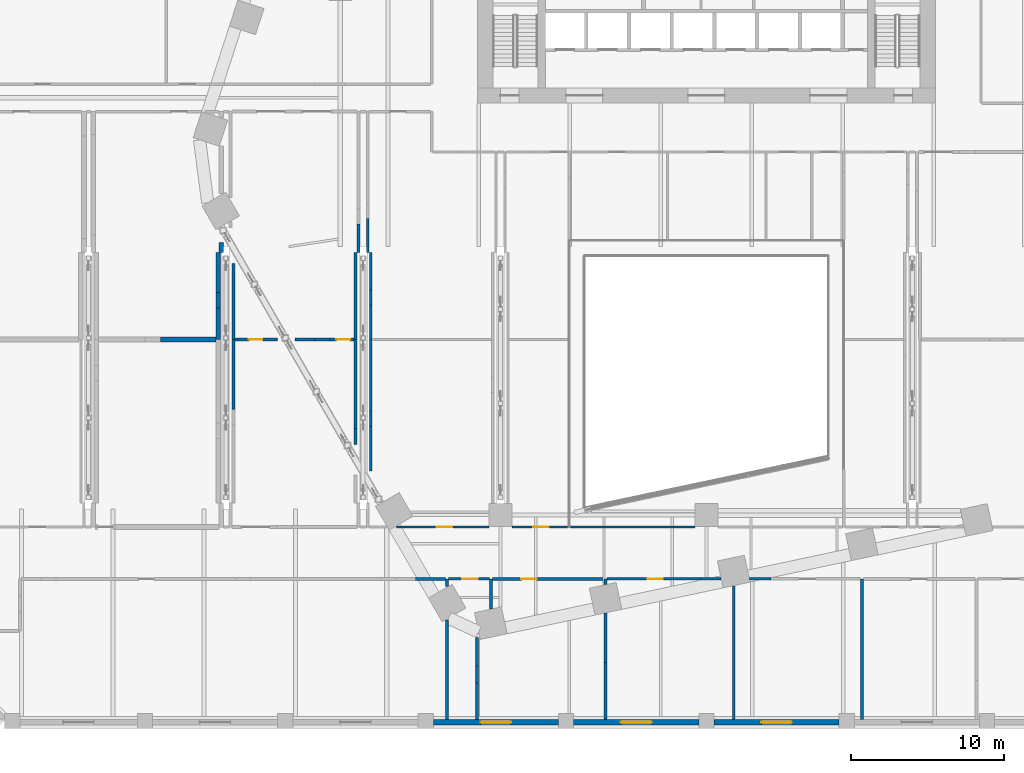
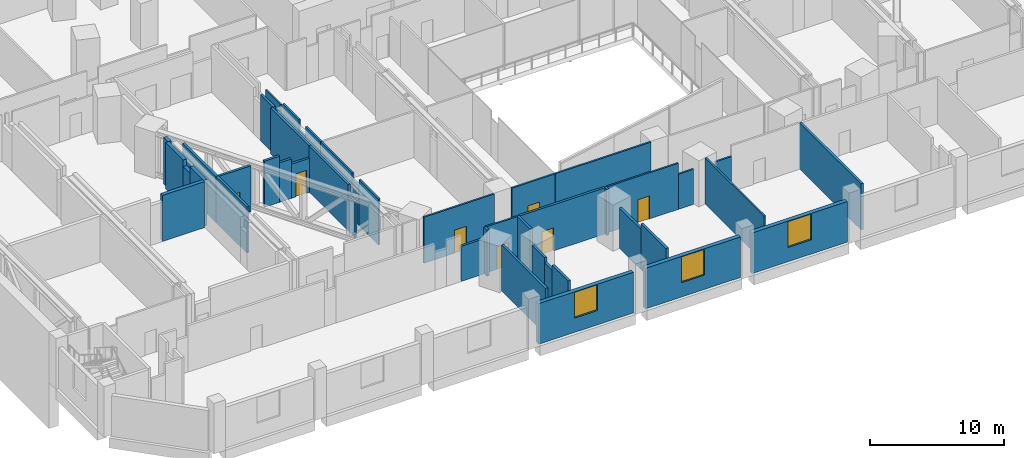
# One storey, part 14 of 32: 45 walls, 7 doors, 3 windows, 10 openings.
"""IFC4 building model written with IfcOpenShell, lengths in metres."""

import ifcopenshell
import ifcopenshell.guid

model = None  # the IFC model being written
_history = None  # IfcOwnerHistory: only IFC2X3 demands one
_inside = {}  # id of a spatial element -> (the spatial element, [elements in it])
_under = {}  # id of a project, library or spatial element -> (it, [spatial elements below it])
_declared = {}  # id of a project -> (the project, [libraries it declares])
_typed = {}  # id of a type object -> (the type object, [elements of that type])
_made_of = {}  # id of a material, layer set ... -> (it, [elements and type objects made of it])


def new_model(schema):
    """Start an empty IFC model of exactly this schema.

    Asked for "IFC4X3", IfcOpenShell would pick the latest addendum, in which some entities
    have other attributes; the version numbers below select the first issue.
    IFC2X3 requires an IfcOwnerHistory on every rooted entity: one is made here for all.
    """
    global model, _history
    if schema == "IFC4X3":
        model = ifcopenshell.file(schema_version=(4, 3, 0, 0))
    else:
        model = ifcopenshell.file(schema=schema)
    _inside.clear()
    _under.clear()
    _declared.clear()
    _typed.clear()
    _made_of.clear()
    _history = None
    if model.schema == "IFC2X3":
        org = make("IfcOrganization", Name="unknown")
        user = make(
            "IfcPersonAndOrganization",
            ThePerson=make("IfcPerson", FamilyName="unknown"),
            TheOrganization=org,
        )
        app = make(
            "IfcApplication",
            ApplicationDeveloper=org,
            Version="unknown",
            ApplicationFullName="unknown",
            ApplicationIdentifier="unknown",
        )
        _history = make(
            "IfcOwnerHistory",
            OwningUser=user,
            OwningApplication=app,
            ChangeAction="ADDED",
            CreationDate=0,
        )
    return model


def make(cls, **values):
    """One entity of the class cls with the attributes given. An attribute that is None is left unset."""
    return model.create_entity(
        cls, **{name: value for name, value in values.items() if value is not None}
    )


def rooted(cls, **values):
    """An entity with a GlobalId (a new one), such as an element, a storey or a relation."""
    return make(cls, GlobalId=ifcopenshell.guid.new(), OwnerHistory=_history, **values)


def si_unit(unit_type, name, prefix=None):
    """IfcSIUnit, for example si_unit("LENGTHUNIT", "METRE", prefix="MILLI")."""
    return make("IfcSIUnit", UnitType=unit_type, Prefix=prefix, Name=name)


def assignment(units):
    """IfcUnitAssignment: the units of a project."""
    return None if units is None else make("IfcUnitAssignment", Units=units)


def point(xyz):
    """IfcCartesianPoint."""
    return None if xyz is None else make("IfcCartesianPoint", Coordinates=xyz)


def direction(xyz):
    """IfcDirection."""
    return None if xyz is None else make("IfcDirection", DirectionRatios=xyz)


def frame(location, z_axis=None, x_axis=None):
    """IfcAxis2Placement3D, a coordinate frame: its origin and axes. An axis left out is left unset."""
    return make(
        "IfcAxis2Placement3D",
        Location=point(location),
        Axis=direction(z_axis),
        RefDirection=direction(x_axis),
    )


def frame_2d(location, x_axis=None):
    """IfcAxis2Placement2D, a coordinate frame in the plane: its origin and x axis."""
    return make(
        "IfcAxis2Placement2D", Location=point(location), RefDirection=direction(x_axis)
    )


def origin():
    """The frame at (0, 0, 0) with its axes left unset."""
    return frame((0.0, 0.0, 0.0))


def place(relative_to, where):
    """IfcLocalPlacement: puts the frame where relative to a parent placement (None: the world)."""
    return make(
        "IfcLocalPlacement", PlacementRelTo=relative_to, RelativePlacement=where
    )


def context(
    kind, dimensions, precision=None, world=None, true_north=None, identifier=None
):
    """IfcGeometricRepresentationContext, for example the 3D "Model" context."""
    return make(
        "IfcGeometricRepresentationContext",
        ContextIdentifier=identifier,
        ContextType=kind,
        CoordinateSpaceDimension=dimensions,
        Precision=precision,
        WorldCoordinateSystem=world,
        TrueNorth=true_north,
    )


def subcontext(parent, identifier, kind, view, scale=None):
    """IfcGeometricRepresentationSubContext, for example "Body" below "Model"."""
    return make(
        "IfcGeometricRepresentationSubContext",
        ContextIdentifier=identifier,
        ContextType=kind,
        ParentContext=parent,
        TargetScale=scale,
        TargetView=view,
    )


def project(units=None, contexts=None):
    """IfcProject with its units and contexts."""
    return rooted(
        "IfcProject",
        Name="project",
        RepresentationContexts=contexts,
        UnitsInContext=assignment(units),
    )


def spatial(cls, under=None, at=None, **own):
    """A site, building, storey or space (cls), placed at a placement, below another one or the project."""
    s = rooted(cls, ObjectPlacement=at, **own)
    if under is not None:
        _under.setdefault(under.id(), (under, []))[1].append(s)
    return s


def profile(cls, at=None, kind="AREA", **sizes):
    """A parametric profile (cls). Its sizes go by their IFC names, for example OverallWidth=200.0."""
    return make(cls, ProfileType=kind, Position=at, **sizes)


def rectangle(**sizes):
    """IfcRectangleProfileDef."""
    return profile("IfcRectangleProfileDef", **sizes)


def extrude(swept, where, along, depth):
    """IfcExtrudedAreaSolid: the profile swept, set in the frame where, extruded along a direction by depth."""
    return make(
        "IfcExtrudedAreaSolid",
        SweptArea=swept,
        Position=where,
        ExtrudedDirection=direction(along),
        Depth=depth,
    )


def shape(context_of_items, identifier, shape_type, items):
    """IfcShapeRepresentation: the items that make up one representation, for example the "Body"."""
    return make(
        "IfcShapeRepresentation",
        ContextOfItems=context_of_items,
        RepresentationIdentifier=identifier,
        RepresentationType=shape_type,
        Items=items,
    )


def material(Name=None, Category=None):
    """IfcMaterial."""
    return make("IfcMaterial", Name=Name, Category=Category)


def layer(
    of_material, thickness, ventilated=None, Name=None, Category=None, Priority=None
):
    """IfcMaterialLayer: one layer of a wall or slab, of a material (None: an air gap)."""
    return make(
        "IfcMaterialLayer",
        Material=of_material,
        LayerThickness=thickness,
        IsVentilated=ventilated,
        Name=Name,
        Category=Category,
        Priority=Priority,
    )


def layer_set(layers, Name=None):
    """IfcMaterialLayerSet."""
    return make("IfcMaterialLayerSet", MaterialLayers=layers, LayerSetName=Name)


def made_of(thing, what):
    """Note that an element or type object is made of a material, layer set ...; save() writes the relation."""
    if what is not None:
        _made_of.setdefault(what.id(), (what, []))[1].append(thing)
    return thing


def type_object(cls, material=None, **own):
    """A type object (cls), such as IfcWallType, which elements share."""
    return made_of(rooted(cls, **own), material)


def element(
    cls,
    number,
    at=None,
    inside=None,
    cuts=None,
    type_object=None,
    material=None,
    context=None,
    identifier="Body",
    shape_type=None,
    held_by="IfcProductDefinitionShape",
    body=None,
    shapes=None,
    **own,
):
    """One element of the class cls, such as IfcWall. Its Tag is "e" and its number.

    at: its placement. inside: the storey or other place that contains it. cuts: it is an
    opening in that element (IfcRelVoidsElement). A single representation is given by context,
    identifier, shape_type and body (its items); several are given by shapes. held_by: the class
    of the entity that holds the representations. save() writes the other relations.
    """
    e = rooted(cls, Tag="e%d" % number, ObjectPlacement=at, **own)
    if body is not None:
        shapes = [shape(context, identifier, shape_type, body)]
    if shapes is not None:
        e.Representation = make(held_by, Representations=shapes)
    if inside is not None:
        _inside.setdefault(inside.id(), (inside, []))[1].append(e)
    if cuts is not None:
        rooted(
            "IfcRelVoidsElement", RelatingBuildingElement=cuts, RelatedOpeningElement=e
        )
    if type_object is not None:
        _typed.setdefault(type_object.id(), (type_object, []))[1].append(e)
    return made_of(e, material)


def fill(opening, filler):
    """IfcRelFillsElement: the door or window that sits in an opening."""
    return rooted(
        "IfcRelFillsElement",
        RelatingOpeningElement=opening,
        RelatedBuildingElement=filler,
    )


def aggregate(whole, parts):
    """IfcRelAggregates: a whole, such as a stair, and the parts it consists of."""
    return rooted("IfcRelAggregates", RelatingObject=whole, RelatedObjects=parts)


def save(model, path):
    """Write the relations noted so far, then the file.

    IfcRelAggregates (storeys below a building ...), IfcRelContainedInSpatialStructure (elements
    in a storey), IfcRelDefinesByType, IfcRelAssociatesMaterial and IfcRelDeclares: one each for
    every whole, place, type object, material and project.
    """
    for whole, parts in _under.values():
        aggregate(whole, parts)
    for where, things in _inside.values():
        rooted(
            "IfcRelContainedInSpatialStructure",
            RelatedElements=things,
            RelatingStructure=where,
        )
    for kind, things in _typed.values():
        rooted("IfcRelDefinesByType", RelatedObjects=things, RelatingType=kind)
    for what, things in _made_of.values():
        rooted("IfcRelAssociatesMaterial", RelatedObjects=things, RelatingMaterial=what)
    for by, libraries in _declared.values():
        rooted("IfcRelDeclares", RelatingContext=by, RelatedDefinitions=libraries)
    model.write(path)


model = new_model("IFC4")

# Units and contexts
model_context = context("Model", 3, precision=1e-05, world=origin(), true_north=direction((0.0, 1.0)))
body_context = subcontext(model_context, "Body", "Model", "MODEL_VIEW")
ifc_project = project(units=[si_unit("LENGTHUNIT", "METRE"), si_unit("AREAUNIT", "SQUARE_METRE"), si_unit("VOLUMEUNIT", "CUBIC_METRE"), si_unit("PLANEANGLEUNIT", "RADIAN"), si_unit("MASSUNIT", "GRAM", prefix="KILO")], contexts=[model_context])

# Site, building, storey
site_placement = place(None, origin())
site = spatial("IfcSite", under=ifc_project, at=site_placement, CompositionType="ELEMENT")
building_placement = place(site_placement, origin())
building = spatial("IfcBuilding", under=site, at=building_placement, Name="Isthmus Gate Tower", CompositionType="ELEMENT")
storey_placement = place(building_placement, frame((0.0, 0.0, 18.0)))
storey = spatial("IfcBuildingStorey", under=building, at=storey_placement, Name="L02", CompositionType="ELEMENT", Elevation=18.0)

# Walls
ifc_material_1 = material(Name="Double-leaf gypsum board with mineral wool, resilient mounted")
ifc_layer_1 = layer(ifc_material_1, 0.300048828125)
ifc_layer_set_1 = layer_set([ifc_layer_1], Name="Acoustic studio wall 300 double leaf")
wall_type_1 = type_object("IfcWallType", Name="Acoustic studio wall 300 double leaf", PredefinedType="PARTITIONING", material=ifc_layer_set_1)
wall_1_placement = place(storey_placement, frame((-35.78076171875, -15.489013671875, 0.0), z_axis=(0.0, 0.0, 1.0), x_axis=(1.0, 0.0, 0.0)))
element("IfcWall", 1, at=wall_1_placement, inside=storey, type_object=wall_type_1, Name="Acoustic studio wall", PredefinedType="PARTITIONING", context=body_context, shape_type="SweptSolid", body=[
    extrude(rectangle(XDim=3.630859375, YDim=0.300048828125, at=frame_2d((1.8154296875, 0.0))), origin(), (0.0, 0.0, 1.0), 4.199951171875),
])
wall_2_placement = place(storey_placement, frame((-32.0, -15.488525390625, 0.0), z_axis=(0.0, 0.0, 1.0), x_axis=(0.0, 1.0, 0.0)))
element("IfcWall", 2, at=wall_2_placement, inside=storey, type_object=wall_type_1, Name="Acoustic studio wall", PredefinedType="PARTITIONING", context=body_context, shape_type="SweptSolid", body=[
    extrude(rectangle(XDim=2.06640625, YDim=0.300048828125, at=frame_2d((1.033203125, 0.0))), origin(), (0.0, 0.0, 1.0), 4.199951171875),
])
wall_3_placement = place(storey_placement, frame((-32.0, -13.422119140625, 0.0), z_axis=(0.0, 0.0, 1.0), x_axis=(0.0, 1.0, 0.0)))
element("IfcWall", 3, at=wall_3_placement, inside=storey, type_object=wall_type_1, Name="Acoustic studio wall", PredefinedType="PARTITIONING", context=body_context, shape_type="SweptSolid", body=[
    extrude(rectangle(XDim=1.0, YDim=0.300048828125, at=frame_2d((0.5, 0.0))), origin(), (0.0, 0.0, 1.0), 3.5966796875),
])
wall_4_placement = place(storey_placement, frame((-32.0, -12.422119140625, 0.0), z_axis=(0.0, 0.0, 1.0), x_axis=(0.0, 1.0, 0.0)))
element("IfcWall", 4, at=wall_4_placement, inside=storey, type_object=wall_type_1, Name="Acoustic studio wall", PredefinedType="PARTITIONING", context=body_context, shape_type="SweptSolid", body=[
    extrude(rectangle(XDim=2.6220703125, YDim=0.300048828125, at=frame_2d((1.31103515625, 0.0))), origin(), (0.0, 0.0, 1.0), 4.199951171875),
])
wall_5_placement = place(storey_placement, frame((-31.800048828125, -9.800048828125, 0.0), z_axis=(0.0, 0.0, 1.0), x_axis=(0.0, 1.0, 0.0)))
element("IfcWall", 5, at=wall_5_placement, inside=storey, type_object=wall_type_1, Name="Acoustic studio wall", PredefinedType="PARTITIONING", context=body_context, shape_type="SweptSolid", body=[
    extrude(rectangle(XDim=0.67919921875, YDim=0.300048828125, at=frame_2d((0.339599609375, 0.0))), origin(), (0.0, 0.0, 1.0), 4.199951171875),
])
ifc_material_2 = material(Name="Concrete f'c 30 MPa", Category="concrete")
ifc_layer_2 = layer(ifc_material_2, 0.199951171875)
ifc_layer_set_2 = layer_set([ifc_layer_2], Name="Fire-rated block wall 200")
wall_type_2 = type_object("IfcWallType", Name="Fire-rated block wall 200", PredefinedType="PARTITIONING", material=ifc_layer_set_2)
wall_6_placement = place(storey_placement, frame((-19.064697265625, -31.178955078125, 0.0), z_axis=(0.0, 0.0, 1.0), x_axis=(1.0, 0.0, 0.0)))
element("IfcWall", 6, at=wall_6_placement, inside=storey, type_object=wall_type_2, Name="Fire-rated wall", PredefinedType="PARTITIONING", context=body_context, shape_type="SweptSolid", body=[
    extrude(rectangle(XDim=1.9697265625, YDim=0.199951171875, at=frame_2d((0.98486328125, 0.0))), origin(), (0.0, 0.0, 1.0), 3.199951171875),
])

# Wall, opening, door
wall_7_placement = place(storey_placement, frame((-14.031982421875, -31.178955078125, 0.0), z_axis=(0.0, 0.0, 1.0), x_axis=(1.0, 0.0, 0.0)))
wall_7 = element("IfcWall", 7, at=wall_7_placement, inside=storey, type_object=wall_type_2, Name="Fire-rated wall", PredefinedType="PARTITIONING", context=body_context, shape_type="SweptSolid", body=[
    extrude(rectangle(XDim=7.321044921875, YDim=0.199951171875, at=frame_2d((3.66064453125, 0.0))), origin(), (0.0, 0.0, 1.0), 4.199951171875),
])
opening_1_placement = place(wall_7_placement, frame((1.89990234375, 0.0, 0.0)))
opening_1 = element("IfcOpeningElement", 8, at=opening_1_placement, cuts=wall_7, Name="Opening DP02-53", PredefinedType="OPENING", context=body_context, shape_type="SweptSolid", body=[
    extrude(rectangle(XDim=1.0, YDim=2.10009765625, at=frame_2d((0.5, 1.050048828125))), frame((0.0, 0.10986328125, 0.0), z_axis=(0.0, -1.0, 0.0), x_axis=(1.0, 0.0, 0.0)), (0.0, 0.0, 1.0), 0.219970703125),
])
ifc_material_3 = material(Name="Steel fire door with intumescent seals", Category="steel")
door_type_1 = type_object("IfcDoorType", Name="Fire door 1000 x 2100", OperationType="SINGLE_SWING_LEFT", PredefinedType="DOOR", material=ifc_material_3)
door_1_placement = place(opening_1_placement, origin())
door_1 = element("IfcDoor", 9, at=door_1_placement, inside=storey, type_object=door_type_1, Name="Door DP02-53", OperationType="SINGLE_SWING_LEFT", OverallHeight=2.10009765625, OverallWidth=1.0, PredefinedType="DOOR", context=body_context, shape_type="SweptSolid", body=[
    extrude(rectangle(XDim=1.0, YDim=2.10009765625, at=frame_2d((0.5, 1.050048828125))), frame((0.0, 0.02490234375, 0.0), z_axis=(0.0, -1.0, 0.0), x_axis=(1.0, 0.0, 0.0)), (0.0, 0.0, 1.0), 0.050048828125),
])
fill(opening_1, door_1)

wall_8_placement = place(storey_placement, frame((-30.89990234375, -15.489013671875, 0.0), z_axis=(0.0, 0.0, 1.0), x_axis=(1.0, 0.0, 0.0)))
wall_8 = element("IfcWall", 10, at=wall_8_placement, inside=storey, type_object=wall_type_2, Name="Fire-rated wall", PredefinedType="PARTITIONING", context=body_context, shape_type="SweptSolid", body=[
    extrude(rectangle(XDim=2.77685546875, YDim=0.199951171875, at=frame_2d((1.388427734375, 0.0))), origin(), (0.0, 0.0, 1.0), 4.199951171875),
])
opening_2_placement = place(wall_8_placement, frame((0.89990234375, 0.0, 0.0)))
opening_2 = element("IfcOpeningElement", 11, at=opening_2_placement, cuts=wall_8, Name="Opening DP02-59", PredefinedType="OPENING", context=body_context, shape_type="SweptSolid", body=[
    extrude(rectangle(XDim=0.89990234375, YDim=2.10009765625, at=frame_2d((0.449951171875, 1.050048828125))), frame((0.0, 0.10986328125, 0.0), z_axis=(0.0, -1.0, 0.0), x_axis=(1.0, 0.0, 0.0)), (0.0, 0.0, 1.0), 0.219970703125),
])
ifc_material_4 = material(Name="Steel fire door with intumescent seals", Category="steel")
door_type_2 = type_object("IfcDoorType", Name="Fire door 900 x 2100", OperationType="SINGLE_SWING_LEFT", PredefinedType="DOOR", material=ifc_material_4)
door_2_placement = place(opening_2_placement, origin())
door_2 = element("IfcDoor", 12, at=door_2_placement, inside=storey, type_object=door_type_2, Name="Door DP02-59", OperationType="SINGLE_SWING_LEFT", OverallHeight=2.10009765625, OverallWidth=0.89990234375, PredefinedType="DOOR", context=body_context, shape_type="SweptSolid", body=[
    extrude(rectangle(XDim=0.89990234375, YDim=2.10009765625, at=frame_2d((0.449951171875, 1.050048828125))), frame((0.0, 0.02490234375, 0.0), z_axis=(0.0, -1.0, 0.0), x_axis=(1.0, 0.0, 0.0)), (0.0, 0.0, 1.0), 0.050048828125),
])
fill(opening_2, door_2)

# Walls
wall_9_placement = place(storey_placement, frame((-26.96826171875, -15.489013671875, 0.0), z_axis=(0.0, 0.0, 1.0), x_axis=(1.0, 0.0, 0.0)))
element("IfcWall", 13, at=wall_9_placement, inside=storey, type_object=wall_type_2, Name="Fire-rated wall", PredefinedType="PARTITIONING", context=body_context, shape_type="SweptSolid", body=[
    extrude(rectangle(XDim=1.30615234375, YDim=0.199951171875, at=frame_2d((0.653076171875, 0.0))), origin(), (0.0, 0.0, 1.0), 4.199951171875),
])
wall_10_placement = place(storey_placement, frame((-25.662109375, -15.489013671875, 0.0), z_axis=(0.0, 0.0, 1.0), x_axis=(1.0, 0.0, 0.0)))
element("IfcWall", 14, at=wall_10_placement, inside=storey, type_object=wall_type_2, Name="Fire-rated wall", PredefinedType="PARTITIONING", context=body_context, shape_type="SweptSolid", body=[
    extrude(rectangle(XDim=1.0, YDim=0.199951171875, at=frame_2d((0.5, 0.0))), origin(), (0.0, 0.0, 1.0), 3.5966796875),
])

# Wall, opening, door
wall_11_placement = place(storey_placement, frame((-24.662109375, -15.489013671875, 0.0), z_axis=(0.0, 0.0, 1.0), x_axis=(1.0, 0.0, 0.0)))
wall_11 = element("IfcWall", 15, at=wall_11_placement, inside=storey, type_object=wall_type_2, Name="Fire-rated wall", PredefinedType="PARTITIONING", context=body_context, shape_type="SweptSolid", body=[
    extrude(rectangle(XDim=1.56201171875, YDim=0.199951171875, at=frame_2d((0.781005859375, 0.0))), origin(), (0.0, 0.0, 1.0), 3.111083984375),
])
opening_3_placement = place(wall_11_placement, frame((0.39990234375, 0.0, 0.0)))
opening_3 = element("IfcOpeningElement", 16, at=opening_3_placement, cuts=wall_11, Name="Opening DP02-60", PredefinedType="OPENING", context=body_context, shape_type="SweptSolid", body=[
    extrude(rectangle(XDim=0.89990234375, YDim=2.10009765625, at=frame_2d((0.449951171875, 1.050048828125))), frame((0.0, 0.10986328125, 0.0), z_axis=(0.0, -1.0, 0.0), x_axis=(1.0, 0.0, 0.0)), (0.0, 0.0, 1.0), 0.219970703125),
])
door_3_placement = place(opening_3_placement, origin())
door_3 = element("IfcDoor", 17, at=door_3_placement, inside=storey, type_object=door_type_2, Name="Door DP02-60", OperationType="SINGLE_SWING_LEFT", OverallHeight=2.10009765625, OverallWidth=0.89990234375, PredefinedType="DOOR", context=body_context, shape_type="SweptSolid", body=[
    extrude(rectangle(XDim=0.89990234375, YDim=2.10009765625, at=frame_2d((0.449951171875, 1.050048828125))), frame((0.0, 0.02490234375, 0.0), z_axis=(0.0, -1.0, 0.0), x_axis=(1.0, 0.0, 0.0)), (0.0, 0.0, 1.0), 0.050048828125),
])
fill(opening_3, door_3)

# Walls
wall_12_placement = place(storey_placement, frame((-31.0, -20.08935546875, 0.0), z_axis=(0.0, 0.0, 1.0), x_axis=(0.0, 1.0, 0.0)))
element("IfcWall", 18, at=wall_12_placement, inside=storey, type_object=wall_type_2, Name="Fire-rated wall", PredefinedType="PARTITIONING", context=body_context, shape_type="SweptSolid", body=[
    extrude(rectangle(XDim=4.598876953125, YDim=0.199951171875, at=frame_2d((2.29931640625, 0.0))), origin(), (0.0, 0.0, 1.0), 4.199951171875),
])
wall_13_placement = place(storey_placement, frame((-31.0, -15.488525390625, 0.0), z_axis=(0.0, 0.0, 1.0), x_axis=(0.0, 1.0, 0.0)))
element("IfcWall", 19, at=wall_13_placement, inside=storey, type_object=wall_type_2, Name="Fire-rated wall", PredefinedType="PARTITIONING", context=body_context, shape_type="SweptSolid", body=[
    extrude(rectangle(XDim=4.982177734375, YDim=0.199951171875, at=frame_2d((2.4912109375, 0.0))), origin(), (0.0, 0.0, 1.0), 4.199951171875),
])
wall_14_placement = place(storey_placement, frame((-23.0, -22.36279296875, 0.0), z_axis=(0.0, 0.0, 1.0), x_axis=(0.0, 1.0, 0.0)))
element("IfcWall", 20, at=wall_14_placement, inside=storey, type_object=wall_type_2, Name="Fire-rated wall", PredefinedType="PARTITIONING", context=body_context, shape_type="SweptSolid", body=[
    extrude(rectangle(XDim=1.026611328125, YDim=0.199951171875, at=frame_2d((0.51318359375, 0.0))), origin(), (0.0, 0.0, 1.0), 3.218994140625),
])
wall_15_placement = place(storey_placement, frame((-23.0, -21.336181640625, 0.0), z_axis=(0.0, 0.0, 1.0), x_axis=(0.0, 1.0, 0.0)))
element("IfcWall", 21, at=wall_15_placement, inside=storey, type_object=wall_type_2, Name="Fire-rated wall", PredefinedType="PARTITIONING", context=body_context, shape_type="SweptSolid", body=[
    extrude(rectangle(XDim=5.845703125, YDim=0.199951171875, at=frame_2d((2.9228515625, 0.0))), origin(), (0.0, 0.0, 1.0), 4.199951171875),
])
wall_16_placement = place(storey_placement, frame((-23.0, -15.488525390625, 0.0), z_axis=(0.0, 0.0, 1.0), x_axis=(0.0, 1.0, 0.0)))
element("IfcWall", 22, at=wall_16_placement, inside=storey, type_object=wall_type_2, Name="Fire-rated wall", PredefinedType="PARTITIONING", context=body_context, shape_type="SweptSolid", body=[
    extrude(rectangle(XDim=5.6884765625, YDim=0.199951171875, at=frame_2d((2.84423828125, 0.0))), origin(), (0.0, 0.0, 1.0), 4.199951171875),
])
wall_17_placement = place(storey_placement, frame((-22.800048828125, -9.800048828125, 0.0), z_axis=(0.0, 0.0, 1.0), x_axis=(0.0, 1.0, 0.0)))
element("IfcWall", 23, at=wall_17_placement, inside=storey, type_object=wall_type_2, Name="Fire-rated wall", PredefinedType="PARTITIONING", context=body_context, shape_type="SweptSolid", body=[
    extrude(rectangle(XDim=1.874755859375, YDim=0.199951171875, at=frame_2d((0.9375, 0.0))), origin(), (0.0, 0.0, 1.0), 4.199951171875),
])
wall_18_placement = place(storey_placement, frame((-16.9951171875, -40.39990234375, 0.0), z_axis=(0.0, 0.0, 1.0), x_axis=(0.0, 1.0, 0.0)))
element("IfcWall", 24, at=wall_18_placement, inside=storey, type_object=wall_type_2, Name="Fire-rated wall", PredefinedType="PARTITIONING", context=body_context, shape_type="SweptSolid", body=[
    extrude(rectangle(XDim=6.539794921875, YDim=0.199951171875, at=frame_2d((3.27001953125, 0.0))), origin(), (0.0, 0.0, 1.0), 4.199951171875),
])
wall_19_placement = place(storey_placement, frame((-16.9951171875, -31.666259765625, 0.0), z_axis=(0.0, 0.0, 1.0), x_axis=(0.0, 1.0, 0.0)))
element("IfcWall", 25, at=wall_19_placement, inside=storey, type_object=wall_type_2, Name="Fire-rated wall", PredefinedType="PARTITIONING", context=body_context, shape_type="SweptSolid", body=[
    extrude(rectangle(XDim=0.4873046875, YDim=0.199951171875, at=frame_2d((0.24365234375, 0.0))), origin(), (0.0, 0.0, 1.0), 4.199951171875),
])
wall_20_placement = place(storey_placement, frame((-15.050048828125, -40.39990234375, 0.0), z_axis=(0.0, 0.0, 1.0), x_axis=(0.0, 1.0, 0.0)))
element("IfcWall", 26, at=wall_20_placement, inside=storey, type_object=wall_type_2, Name="Fire-rated wall", PredefinedType="PARTITIONING", context=body_context, shape_type="SweptSolid", body=[
    extrude(rectangle(XDim=2.38037109375, YDim=0.199951171875, at=frame_2d((1.190185546875, 0.0))), origin(), (0.0, 0.0, 1.0), 4.199951171875),
])
wall_21_placement = place(storey_placement, frame((-15.050048828125, -38.01953125, 0.0), z_axis=(0.0, 0.0, 1.0), x_axis=(0.0, 1.0, 0.0)))
element("IfcWall", 27, at=wall_21_placement, inside=storey, type_object=wall_type_2, Name="Fire-rated wall", PredefinedType="PARTITIONING", context=body_context, shape_type="SweptSolid", body=[
    extrude(rectangle(XDim=1.140380859375, YDim=0.199951171875, at=frame_2d((0.5703125, 0.0))), origin(), (0.0, 0.0, 1.0), 3.749267578125),
])
wall_22_placement = place(storey_placement, frame((-15.050048828125, -36.879150390625, 0.0), z_axis=(0.0, 0.0, 1.0), x_axis=(0.0, 1.0, 0.0)))
element("IfcWall", 28, at=wall_22_placement, inside=storey, type_object=wall_type_2, Name="Fire-rated wall", PredefinedType="PARTITIONING", context=body_context, shape_type="SweptSolid", body=[
    extrude(rectangle(XDim=1.85400390625, YDim=0.199951171875, at=frame_2d((0.927001953125, 0.0))), origin(), (0.0, 0.0, 1.0), 4.199951171875),
])
wall_23_placement = place(storey_placement, frame((-14.132080078125, -33.142333984375, 0.0), z_axis=(0.0, 0.0, 1.0), x_axis=(0.0, 1.0, 0.0)))
element("IfcWall", 29, at=wall_23_placement, inside=storey, type_object=wall_type_2, Name="Fire-rated wall", PredefinedType="PARTITIONING", context=body_context, shape_type="SweptSolid", body=[
    extrude(rectangle(XDim=1.96337890625, YDim=0.199951171875, at=frame_2d((0.981689453125, 0.0))), origin(), (0.0, 0.0, 1.0), 4.199951171875),
])
wall_24_placement = place(storey_placement, frame((-6.611083984375, -40.39990234375, 0.0), z_axis=(0.0, 0.0, 1.0), x_axis=(0.0, 1.0, 0.0)))
element("IfcWall", 30, at=wall_24_placement, inside=storey, type_object=wall_type_2, Name="Fire-rated wall", PredefinedType="PARTITIONING", context=body_context, shape_type="SweptSolid", body=[
    extrude(rectangle(XDim=3.74462890625, YDim=0.199951171875, at=frame_2d((1.872314453125, 0.0))), origin(), (0.0, 0.0, 1.0), 4.199951171875),
])
wall_25_placement = place(storey_placement, frame((-6.611083984375, -36.6552734375, 0.0), z_axis=(0.0, 0.0, 1.0), x_axis=(0.0, 1.0, 0.0)))
element("IfcWall", 31, at=wall_25_placement, inside=storey, type_object=wall_type_2, Name="Fire-rated wall", PredefinedType="PARTITIONING", context=body_context, shape_type="SweptSolid", body=[
    extrude(rectangle(XDim=3.228759765625, YDim=0.199951171875, at=frame_2d((1.6142578125, 0.0))), origin(), (0.0, 0.0, 1.0), 3.676025390625),
])
wall_26_placement = place(storey_placement, frame((-6.611083984375, -31.543701171875, 0.0), z_axis=(0.0, 0.0, 1.0), x_axis=(0.0, 1.0, 0.0)))
element("IfcWall", 32, at=wall_26_placement, inside=storey, type_object=wall_type_2, Name="Fire-rated wall", PredefinedType="PARTITIONING", context=body_context, shape_type="SweptSolid", body=[
    extrude(rectangle(XDim=0.36474609375, YDim=0.199951171875, at=frame_2d((0.182373046875, 0.0))), origin(), (0.0, 0.0, 1.0), 4.199951171875),
])
wall_27_placement = place(storey_placement, frame((10.19189453125, -40.39990234375, 0.0), z_axis=(0.0, 0.0, 1.0), x_axis=(0.0, 1.0, 0.0)))
element("IfcWall", 33, at=wall_27_placement, inside=storey, type_object=wall_type_2, Name="Fire-rated wall", PredefinedType="PARTITIONING", context=body_context, shape_type="SweptSolid", body=[
    extrude(rectangle(XDim=9.220947265625, YDim=0.199951171875, at=frame_2d((4.6103515625, 0.0))), origin(), (0.0, 0.0, 1.0), 4.199951171875),
])

# Wall, opening, window
ifc_material_5 = material(Name="Precast concrete C40/50, limestone-faced", Category="masonry")
ifc_layer_3 = layer(ifc_material_5, 0.35009765625)
ifc_layer_set_3 = layer_set([ifc_layer_3], Name="PODIUM CLADDING WALL 350")
wall_type_3 = type_object("IfcWallType", Name="PODIUM CLADDING WALL 350", PredefinedType="SOLIDWALL", material=ifc_layer_set_3)
wall_28_placement = place(storey_placement, frame((-17.89990234375, -40.574951171875, -0.39990234375), z_axis=(0.0, 0.0, 1.0), x_axis=(1.0, 0.0, 0.0)))
wall_28 = element("IfcWall", 34, at=wall_28_placement, inside=storey, type_object=wall_type_3, Name="PODIUM WALL", PredefinedType="SOLIDWALL", context=body_context, shape_type="SweptSolid", body=[
    extrude(rectangle(XDim=8.199951171875, YDim=0.35009765625, at=frame_2d((4.10009765625, 0.0))), origin(), (0.0, 0.0, 1.0), 3.699951171875),
])
opening_4_placement = place(wall_28_placement, frame((3.10009765625, 0.0, 1.300048828125)))
opening_4 = element("IfcOpeningElement", 35, at=opening_4_placement, cuts=wall_28, Name="Opening W004", PredefinedType="OPENING", context=body_context, shape_type="SweptSolid", body=[
    extrude(rectangle(XDim=2.0, YDim=2.35009765625, at=frame_2d((1.0, 1.175048828125))), frame((0.0, 0.18505859375, 0.0), z_axis=(0.0, -1.0, 0.0), x_axis=(1.0, 0.0, 0.0)), (0.0, 0.0, 1.0), 0.3701171875),
])
ifc_material_6 = material(Name="Aluminium, pale champagne anodised, laminated glass", Category="aluminium")
window_type = type_object("IfcWindowType", Name="PODIUM SLOT WINDOW 2000 X 2350", PartitioningType="SINGLE_PANEL", PredefinedType="WINDOW", material=ifc_material_6)
window_1_placement = place(opening_4_placement, origin())
window_1 = element("IfcWindow", 36, at=window_1_placement, inside=storey, type_object=window_type, Name="SLOT WINDOW", OverallHeight=2.35009765625, OverallWidth=2.0, PartitioningType="SINGLE_PANEL", PredefinedType="WINDOW", context=body_context, shape_type="SweptSolid", body=[
    extrude(rectangle(XDim=2.0, YDim=2.35009765625, at=frame_2d((1.0, 1.175048828125))), frame((0.0, 0.030029296875, 0.0), z_axis=(0.0, -1.0, 0.0), x_axis=(1.0, 0.0, 0.0)), (0.0, 0.0, 1.0), 0.06005859375),
])
fill(opening_4, window_1)

wall_29_placement = place(storey_placement, frame((-8.699951171875, -40.574951171875, -0.39990234375), z_axis=(0.0, 0.0, 1.0), x_axis=(1.0, 0.0, 0.0)))
wall_29 = element("IfcWall", 37, at=wall_29_placement, inside=storey, type_object=wall_type_3, Name="PODIUM WALL", PredefinedType="SOLIDWALL", context=body_context, shape_type="SweptSolid", body=[
    extrude(rectangle(XDim=8.199951171875, YDim=0.35009765625, at=frame_2d((4.10009765625, 0.0))), origin(), (0.0, 0.0, 1.0), 3.699951171875),
])
opening_5_placement = place(wall_29_placement, frame((3.10009765625, 0.0, 1.300048828125)))
opening_5 = element("IfcOpeningElement", 38, at=opening_5_placement, cuts=wall_29, Name="Opening W005", PredefinedType="OPENING", context=body_context, shape_type="SweptSolid", body=[
    extrude(rectangle(XDim=2.0, YDim=2.35009765625, at=frame_2d((1.0, 1.175048828125))), frame((0.0, 0.18505859375, 0.0), z_axis=(0.0, -1.0, 0.0), x_axis=(1.0, 0.0, 0.0)), (0.0, 0.0, 1.0), 0.3701171875),
])
window_2_placement = place(opening_5_placement, origin())
window_2 = element("IfcWindow", 39, at=window_2_placement, inside=storey, type_object=window_type, Name="SLOT WINDOW", OverallHeight=2.35009765625, OverallWidth=2.0, PartitioningType="SINGLE_PANEL", PredefinedType="WINDOW", context=body_context, shape_type="SweptSolid", body=[
    extrude(rectangle(XDim=2.0, YDim=2.35009765625, at=frame_2d((1.0, 1.175048828125))), frame((0.0, 0.030029296875, 0.0), z_axis=(0.0, -1.0, 0.0), x_axis=(1.0, 0.0, 0.0)), (0.0, 0.0, 1.0), 0.06005859375),
])
fill(opening_5, window_2)

wall_30_placement = place(storey_placement, frame((0.5, -40.574951171875, -0.39990234375), z_axis=(0.0, 0.0, 1.0), x_axis=(1.0, 0.0, 0.0)))
wall_30 = element("IfcWall", 40, at=wall_30_placement, inside=storey, type_object=wall_type_3, Name="PODIUM WALL", PredefinedType="SOLIDWALL", context=body_context, shape_type="SweptSolid", body=[
    extrude(rectangle(XDim=8.199951171875, YDim=0.35009765625, at=frame_2d((4.10009765625, 0.0))), origin(), (0.0, 0.0, 1.0), 3.699951171875),
])
opening_6_placement = place(wall_30_placement, frame((3.10009765625, 0.0, 1.300048828125)))
opening_6 = element("IfcOpeningElement", 41, at=opening_6_placement, cuts=wall_30, Name="Opening W006", PredefinedType="OPENING", context=body_context, shape_type="SweptSolid", body=[
    extrude(rectangle(XDim=2.0, YDim=2.35009765625, at=frame_2d((1.0, 1.175048828125))), frame((0.0, 0.18505859375, 0.0), z_axis=(0.0, -1.0, 0.0), x_axis=(1.0, 0.0, 0.0)), (0.0, 0.0, 1.0), 0.3701171875),
])
window_3_placement = place(opening_6_placement, origin())
window_3 = element("IfcWindow", 42, at=window_3_placement, inside=storey, type_object=window_type, Name="SLOT WINDOW", OverallHeight=2.35009765625, OverallWidth=2.0, PartitioningType="SINGLE_PANEL", PredefinedType="WINDOW", context=body_context, shape_type="SweptSolid", body=[
    extrude(rectangle(XDim=2.0, YDim=2.35009765625, at=frame_2d((1.0, 1.175048828125))), frame((0.0, 0.030029296875, 0.0), z_axis=(0.0, -1.0, 0.0), x_axis=(1.0, 0.0, 0.0)), (0.0, 0.0, 1.0), 0.06005859375),
])
fill(opening_6, window_3)

# Wall, opening, door
ifc_material_7 = material(Name="Gypsum board on cold-formed steel studs", Category="steel")
ifc_layer_4 = layer(ifc_material_7, 0.14990234375)
ifc_layer_set_4 = layer_set([ifc_layer_4])
wall_type_4 = type_object("IfcWallType", Name="Partition 150 gypsum board on steel studs", PredefinedType="PARTITIONING", material=ifc_layer_set_4)
wall_31_placement = place(storey_placement, frame((-16.89501953125, -31.178955078125, 0.0), z_axis=(0.0, 0.0, 1.0), x_axis=(1.0, 0.0, 0.0)))
wall_31 = element("IfcWall", 43, at=wall_31_placement, inside=storey, type_object=wall_type_4, Name="Partition", PredefinedType="PARTITIONING", context=body_context, shape_type="SweptSolid", body=[
    extrude(rectangle(XDim=2.6630859375, YDim=0.14990234375, at=frame_2d((1.33154296875, 0.0))), origin(), (0.0, 0.0, 1.0), 4.199951171875),
])
opening_7_placement = place(wall_31_placement, frame((0.89990234375, 0.0, 0.0)))
opening_7 = element("IfcOpeningElement", 44, at=opening_7_placement, cuts=wall_31, Name="Opening DP02-52", PredefinedType="OPENING", context=body_context, shape_type="SweptSolid", body=[
    extrude(rectangle(XDim=1.0, YDim=2.10009765625, at=frame_2d((0.5, 1.050048828125))), frame((0.0, 0.0849609375, 0.0), z_axis=(0.0, -1.0, 0.0), x_axis=(1.0, 0.0, 0.0)), (0.0, 0.0, 1.0), 0.169921875),
])
ifc_material_8 = material(Name="Hollow metal frame with solid-core timber leaf", Category="wood")
door_type_3 = type_object("IfcDoorType", Name="Single swing door 1000 x 2100", OperationType="SINGLE_SWING_LEFT", PredefinedType="DOOR", material=ifc_material_8)
door_4_placement = place(opening_7_placement, origin())
door_4 = element("IfcDoor", 45, at=door_4_placement, inside=storey, type_object=door_type_3, Name="Door DP02-52", OperationType="SINGLE_SWING_LEFT", OverallHeight=2.10009765625, OverallWidth=1.0, PredefinedType="DOOR", context=body_context, shape_type="SweptSolid", body=[
    extrude(rectangle(XDim=1.0, YDim=2.10009765625, at=frame_2d((0.5, 1.050048828125))), frame((0.0, 0.02490234375, 0.0), z_axis=(0.0, -1.0, 0.0), x_axis=(1.0, 0.0, 0.0)), (0.0, 0.0, 1.0), 0.050048828125),
])
fill(opening_7, door_4)

wall_32_placement = place(storey_placement, frame((-6.510986328125, -31.178955078125, 0.0), z_axis=(0.0, 0.0, 1.0), x_axis=(1.0, 0.0, 0.0)))
wall_32 = element("IfcWall", 46, at=wall_32_placement, inside=storey, type_object=wall_type_4, Name="Partition", PredefinedType="PARTITIONING", context=body_context, shape_type="SweptSolid", body=[
    extrude(rectangle(XDim=6.1650390625, YDim=0.14990234375, at=frame_2d((3.08251953125, 0.0))), origin(), (0.0, 0.0, 1.0), 4.199951171875),
])
opening_8_placement = place(wall_32_placement, frame((2.64990234375, 0.0, 0.0)))
opening_8 = element("IfcOpeningElement", 47, at=opening_8_placement, cuts=wall_32, Name="Opening DP02-54", PredefinedType="OPENING", context=body_context, shape_type="SweptSolid", body=[
    extrude(rectangle(XDim=1.0, YDim=2.10009765625, at=frame_2d((0.5, 1.050048828125))), frame((0.0, 0.0849609375, 0.0), z_axis=(0.0, -1.0, 0.0), x_axis=(1.0, 0.0, 0.0)), (0.0, 0.0, 1.0), 0.169921875),
])
door_5_placement = place(opening_8_placement, origin())
door_5 = element("IfcDoor", 48, at=door_5_placement, inside=storey, type_object=door_type_3, Name="Door DP02-54", OperationType="SINGLE_SWING_LEFT", OverallHeight=2.10009765625, OverallWidth=1.0, PredefinedType="DOOR", context=body_context, shape_type="SweptSolid", body=[
    extrude(rectangle(XDim=1.0, YDim=2.10009765625, at=frame_2d((0.5, 1.050048828125))), frame((0.0, 0.02490234375, 0.0), z_axis=(0.0, -1.0, 0.0), x_axis=(1.0, 0.0, 0.0)), (0.0, 0.0, 1.0), 0.050048828125),
])
fill(opening_8, door_5)

# Walls
wall_33_placement = place(storey_placement, frame((-0.345947265625, -31.178955078125, 0.0), z_axis=(0.0, 0.0, 1.0), x_axis=(1.0, 0.0, 0.0)))
element("IfcWall", 49, at=wall_33_placement, inside=storey, type_object=wall_type_4, Name="Partition", PredefinedType="PARTITIONING", context=body_context, shape_type="SweptSolid", body=[
    extrude(rectangle(XDim=1.302490234375, YDim=0.14990234375, at=frame_2d((0.6513671875, 0.0))), origin(), (0.0, 0.0, 1.0), 3.199951171875),
])
wall_34_placement = place(storey_placement, frame((2.82861328125, -31.178955078125, 0.0), z_axis=(0.0, 0.0, 1.0), x_axis=(1.0, 0.0, 0.0)))
element("IfcWall", 50, at=wall_34_placement, inside=storey, type_object=wall_type_4, Name="Partition", PredefinedType="PARTITIONING", context=body_context, shape_type="SweptSolid", body=[
    extrude(rectangle(XDim=1.39453125, YDim=0.14990234375, at=frame_2d((0.697265625, 0.0))), origin(), (0.0, 0.0, 1.0), 3.199951171875),
])

# Wall, opening, door
wall_35_placement = place(storey_placement, frame((-20.3193359375, -27.779052734375, 0.0), z_axis=(0.0, 0.0, 1.0), x_axis=(1.0, 0.0, 0.0)))
wall_35 = element("IfcWall", 51, at=wall_35_placement, inside=storey, type_object=wall_type_4, Name="Partition", PredefinedType="PARTITIONING", context=body_context, shape_type="SweptSolid", body=[
    extrude(rectangle(XDim=6.0693359375, YDim=0.14990234375, at=frame_2d((3.03466796875, 0.0))), origin(), (0.0, 0.0, 1.0), 4.199951171875),
])
opening_9_placement = place(wall_35_placement, frame((2.64990234375, 0.0, 0.0)))
opening_9 = element("IfcOpeningElement", 52, at=opening_9_placement, cuts=wall_35, Name="Opening DP02-22", PredefinedType="OPENING", context=body_context, shape_type="SweptSolid", body=[
    extrude(rectangle(XDim=1.0, YDim=2.10009765625, at=frame_2d((0.5, 1.050048828125))), frame((0.0, 0.0849609375, 0.0), z_axis=(0.0, -1.0, 0.0), x_axis=(1.0, 0.0, 0.0)), (0.0, 0.0, 1.0), 0.169921875),
])
door_6_placement = place(opening_9_placement, origin())
door_6 = element("IfcDoor", 53, at=door_6_placement, inside=storey, type_object=door_type_3, Name="Door DP02-22", OperationType="SINGLE_SWING_LEFT", OverallHeight=2.10009765625, OverallWidth=1.0, PredefinedType="DOOR", context=body_context, shape_type="SweptSolid", body=[
    extrude(rectangle(XDim=1.0, YDim=2.10009765625, at=frame_2d((0.5, 1.050048828125))), frame((0.0, 0.02490234375, 0.0), z_axis=(0.0, -1.0, 0.0), x_axis=(1.0, 0.0, 0.0)), (0.0, 0.0, 1.0), 0.050048828125),
])
fill(opening_9, door_6)

wall_36_placement = place(storey_placement, frame((-12.75, -27.779052734375, 0.0), z_axis=(0.0, 0.0, 1.0), x_axis=(1.0, 0.0, 0.0)))
wall_36 = element("IfcWall", 54, at=wall_36_placement, inside=storey, type_object=wall_type_4, Name="Partition", PredefinedType="PARTITIONING", context=body_context, shape_type="SweptSolid", body=[
    extrude(rectangle(XDim=3.719970703125, YDim=0.14990234375, at=frame_2d((1.85986328125, 0.0))), origin(), (0.0, 0.0, 1.0), 4.199951171875),
])
opening_10_placement = place(wall_36_placement, frame((1.39990234375, 0.0, 0.0)))
opening_10 = element("IfcOpeningElement", 55, at=opening_10_placement, cuts=wall_36, Name="Opening DP02-23", PredefinedType="OPENING", context=body_context, shape_type="SweptSolid", body=[
    extrude(rectangle(XDim=1.0, YDim=2.10009765625, at=frame_2d((0.5, 1.050048828125))), frame((0.0, 0.0849609375, 0.0), z_axis=(0.0, -1.0, 0.0), x_axis=(1.0, 0.0, 0.0)), (0.0, 0.0, 1.0), 0.169921875),
])
door_7_placement = place(opening_10_placement, origin())
door_7 = element("IfcDoor", 56, at=door_7_placement, inside=storey, type_object=door_type_3, Name="Door DP02-23", OperationType="SINGLE_SWING_LEFT", OverallHeight=2.10009765625, OverallWidth=1.0, PredefinedType="DOOR", context=body_context, shape_type="SweptSolid", body=[
    extrude(rectangle(XDim=1.0, YDim=2.10009765625, at=frame_2d((0.5, 1.050048828125))), frame((0.0, 0.02490234375, 0.0), z_axis=(0.0, -1.0, 0.0), x_axis=(1.0, 0.0, 0.0)), (0.0, 0.0, 1.0), 0.050048828125),
])
fill(opening_10, door_7)

# Walls
wall_37_placement = place(storey_placement, frame((-8.969970703125, -27.779052734375, 0.0), z_axis=(0.0, 0.0, 1.0), x_axis=(1.0, 0.0, 0.0)))
element("IfcWall", 57, at=wall_37_placement, inside=storey, type_object=wall_type_4, Name="Partition", PredefinedType="PARTITIONING", context=body_context, shape_type="SweptSolid", body=[
    extrude(rectangle(XDim=8.219970703125, YDim=0.14990234375, at=frame_2d((4.10986328125, 0.0))), origin(), (0.0, 0.0, 1.0), 4.199951171875),
])
wall_38_placement = place(storey_placement, frame((-22.199951171875, -9.800048828125, 0.0), z_axis=(0.0, 0.0, 1.0), x_axis=(0.0, 1.0, 0.0)))
element("IfcWall", 58, at=wall_38_placement, inside=storey, type_object=wall_type_4, Name="Partition", PredefinedType="PARTITIONING", context=body_context, shape_type="SweptSolid", body=[
    extrude(rectangle(XDim=2.233154296875, YDim=0.14990234375, at=frame_2d((1.11669921875, 0.0))), origin(), (0.0, 0.0, 1.0), 4.199951171875),
])
wall_39_placement = place(storey_placement, frame((-22.0, -24.094970703125, 0.0), z_axis=(0.0, 0.0, 1.0), x_axis=(0.0, 1.0, 0.0)))
element("IfcWall", 59, at=wall_39_placement, inside=storey, type_object=wall_type_4, Name="Partition", PredefinedType="PARTITIONING", context=body_context, shape_type="SweptSolid", body=[
    extrude(rectangle(XDim=2.912353515625, YDim=0.14990234375, at=frame_2d((1.4560546875, 0.0))), origin(), (0.0, 0.0, 1.0), 4.199951171875),
])
wall_40_placement = place(storey_placement, frame((-22.0, -21.1826171875, 0.0), z_axis=(0.0, 0.0, 1.0), x_axis=(0.0, 1.0, 0.0)))
element("IfcWall", 60, at=wall_40_placement, inside=storey, type_object=wall_type_4, Name="Partition", PredefinedType="PARTITIONING", context=body_context, shape_type="SweptSolid", body=[
    extrude(rectangle(XDim=1.0, YDim=0.14990234375, at=frame_2d((0.5, 0.0))), origin(), (0.0, 0.0, 1.0), 3.5966796875),
])
wall_41_placement = place(storey_placement, frame((-22.0, -20.1826171875, 0.0), z_axis=(0.0, 0.0, 1.0), x_axis=(0.0, 1.0, 0.0)))
element("IfcWall", 61, at=wall_41_placement, inside=storey, type_object=wall_type_4, Name="Partition", PredefinedType="PARTITIONING", context=body_context, shape_type="SweptSolid", body=[
    extrude(rectangle(XDim=4.692138671875, YDim=0.14990234375, at=frame_2d((2.34619140625, 0.0))), origin(), (0.0, 0.0, 1.0), 4.199951171875),
])
wall_42_placement = place(storey_placement, frame((-22.0, -15.488525390625, 0.0), z_axis=(0.0, 0.0, 1.0), x_axis=(0.0, 1.0, 0.0)))
element("IfcWall", 62, at=wall_42_placement, inside=storey, type_object=wall_type_4, Name="Partition", PredefinedType="PARTITIONING", context=body_context, shape_type="SweptSolid", body=[
    extrude(rectangle(XDim=2.26220703125, YDim=0.14990234375, at=frame_2d((1.131103515625, 0.0))), origin(), (0.0, 0.0, 1.0), 4.199951171875),
])
wall_43_placement = place(storey_placement, frame((-22.0, -13.226318359375, 0.0), z_axis=(0.0, 0.0, 1.0), x_axis=(0.0, 1.0, 0.0)))
element("IfcWall", 63, at=wall_43_placement, inside=storey, type_object=wall_type_4, Name="Partition", PredefinedType="PARTITIONING", context=body_context, shape_type="SweptSolid", body=[
    extrude(rectangle(XDim=1.0, YDim=0.14990234375, at=frame_2d((0.5, 0.0))), origin(), (0.0, 0.0, 1.0), 3.29833984375),
])
wall_44_placement = place(storey_placement, frame((-22.0, -12.226318359375, 0.0), z_axis=(0.0, 0.0, 1.0), x_axis=(0.0, 1.0, 0.0)))
element("IfcWall", 64, at=wall_44_placement, inside=storey, type_object=wall_type_4, Name="Partition", PredefinedType="PARTITIONING", context=body_context, shape_type="SweptSolid", body=[
    extrude(rectangle(XDim=2.42626953125, YDim=0.14990234375, at=frame_2d((1.213134765625, 0.0))), origin(), (0.0, 0.0, 1.0), 4.199951171875),
])
wall_45_placement = place(storey_placement, frame((1.791015625, -40.39990234375, 0.0), z_axis=(0.0, 0.0, 1.0), x_axis=(0.0, 1.0, 0.0)))
element("IfcWall", 65, at=wall_45_placement, inside=storey, type_object=wall_type_4, Name="Partition", PredefinedType="PARTITIONING", context=body_context, shape_type="SweptSolid", body=[
    extrude(rectangle(XDim=8.7646484375, YDim=0.14990234375, at=frame_2d((4.38232421875, 0.0))), origin(), (0.0, 0.0, 1.0), 4.199951171875),
])

save(model, "model.ifc")
